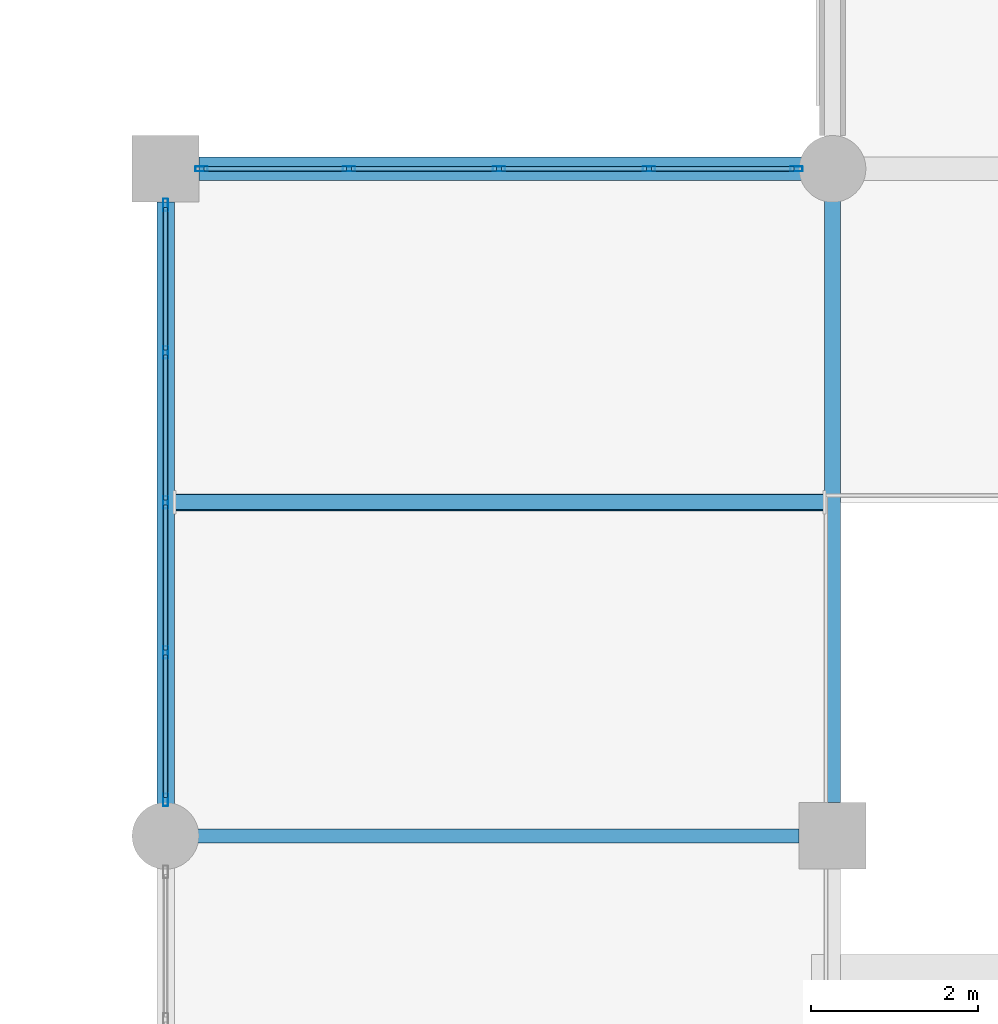
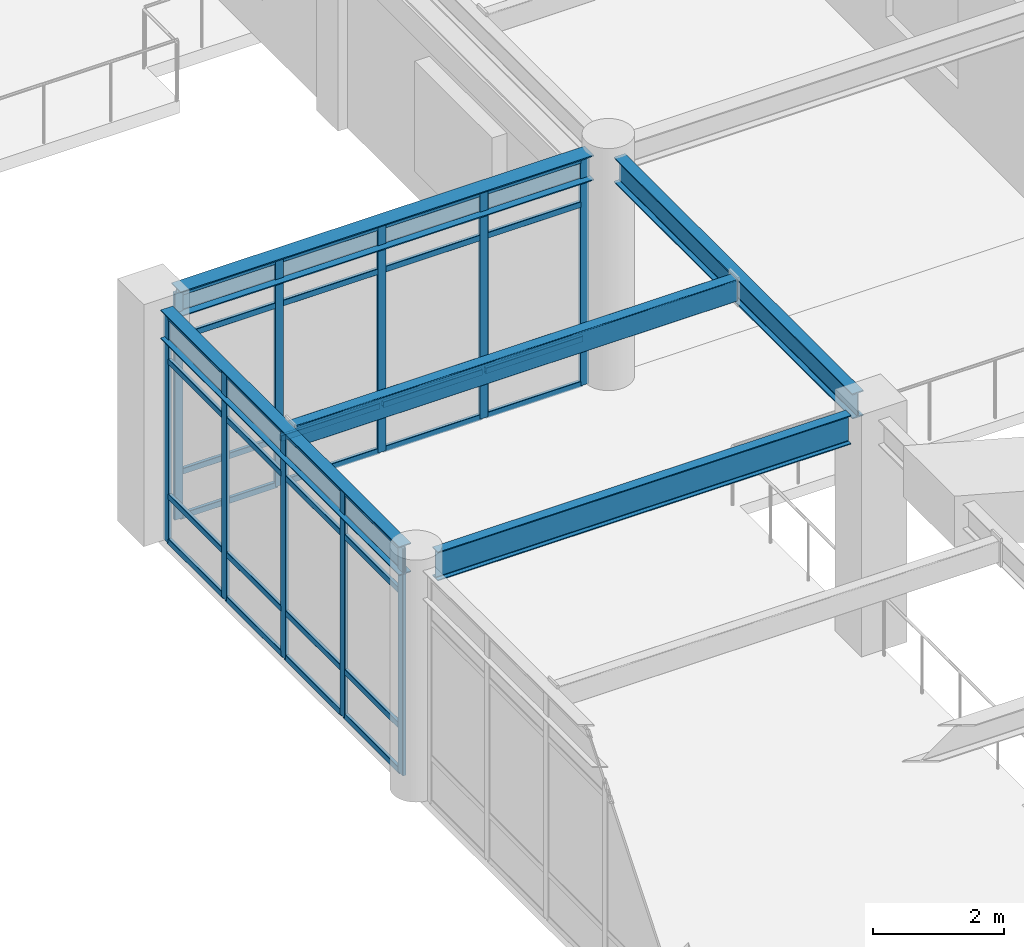
# One storey, part 38 of 93: 42 members, 5 beams, 2 elements without a shape of their own.
"""IFC4 building model written with IfcOpenShell, lengths in metres."""

from ifc_helpers import new_model, si_unit, direction, frame, origin, origin_2d, place, context, subcontext, project, spatial, hollow_rectangle, i_section, extrude, material, material_profile, profile_set, type_object, element, aggregate, save


model = new_model("IFC4")

# Units and contexts
model_context = context("Model", 3, precision=1e-05, world=origin(), true_north=direction((0.0, 1.0)))
body_context = subcontext(model_context, "Body", "Model", "MODEL_VIEW")
ifc_project = project(units=[si_unit("LENGTHUNIT", "METRE"), si_unit("AREAUNIT", "SQUARE_METRE"), si_unit("VOLUMEUNIT", "CUBIC_METRE"), si_unit("PLANEANGLEUNIT", "RADIAN"), si_unit("MASSUNIT", "GRAM", prefix="KILO")], contexts=[model_context])

# Site, building, storey
site_placement = place(None, origin())
site = spatial("IfcSite", under=ifc_project, at=site_placement, CompositionType="ELEMENT")
building_placement = place(site_placement, origin())
building = spatial("IfcBuilding", under=site, at=building_placement, Name="Solmirada Galleria", CompositionType="ELEMENT")
storey_placement = place(building_placement, frame((0.0, 0.0, 14.89990234375)))
storey = spatial("IfcBuildingStorey", under=building, at=storey_placement, Name="L03", CompositionType="ELEMENT", Elevation=14.89990234375)

# Beams
ifc_material_1 = material(Name="Steel S355 / ASTM A992 Grade 50", Category="steel")
ifc_material_profile_1 = material_profile(ifc_material_1, i_section(OverallWidth=0.281982421875, OverallDepth=0.467041015625, WebThickness=0.01220703125, FlangeThickness=0.01953125, FilletRadius=0.013916015625, at=origin_2d()), Name="W18X86")
ifc_profile_set_1 = profile_set([ifc_material_profile_1], Name="Steel S355 / ASTM A992 Grade 50")
beam_type_1 = type_object("IfcBeamType", Name="BM-GIRD-W18A", PredefinedType="BEAM", material=ifc_profile_set_1)
beam_1_placement = place(storey_placement, frame((80.39990234375, 72.0, 4.066650390625), z_axis=(1.0, 0.0, 0.0), x_axis=(0.0, 1.0, 0.0)))
element("IfcBeam", 1, at=beam_1_placement, inside=storey, type_object=beam_type_1, Name="Primary beam L04 X(80..88, 72)", PredefinedType="BEAM", context=body_context, shape_type="SweptSolid", body=[
    extrude(i_section(OverallWidth=0.281982421875, OverallDepth=0.467041015625, WebThickness=0.01220703125, FlangeThickness=0.01953125, FilletRadius=0.013916015625, at=origin_2d()), origin(), (0.0, 0.0, 1.0), 7.26416015625),
])
ifc_material_profile_2 = material_profile(ifc_material_1, i_section(OverallWidth=0.194091796875, OverallDepth=0.468994140625, WebThickness=0.0126953125, FlangeThickness=0.0205078125, FilletRadius=0.013916015625, at=origin_2d()), Name="W18X71")
ifc_profile_set_2 = profile_set([ifc_material_profile_2], Name="Steel S355 / ASTM A992 Grade 50")
beam_type_2 = type_object("IfcBeamType", Name="BM-GIRD-W18B", PredefinedType="BEAM", material=ifc_profile_set_2)
beam_2_placement = place(storey_placement, frame((88.0, 64.39990234375, 4.065673828125), z_axis=(0.0, 1.0, 0.0), x_axis=(-1.0, 0.0, 0.0)))
element("IfcBeam", 2, at=beam_2_placement, inside=storey, type_object=beam_type_2, Name="Primary girder L04 Y(88, 64..72)", PredefinedType="BEAM", context=body_context, shape_type="SweptSolid", body=[
    extrude(i_section(OverallWidth=0.194091796875, OverallDepth=0.468994140625, WebThickness=0.0126953125, FlangeThickness=0.0205078125, FilletRadius=0.013916015625, at=origin_2d()), origin(), (0.0, 0.0, 1.0), 7.26416015625),
])
ifc_material_profile_3 = material_profile(ifc_material_1, i_section(OverallWidth=0.2099609375, OverallDepth=0.537109375, WebThickness=0.010986328125, FlangeThickness=0.017333984375, FilletRadius=0.014892578125, at=origin_2d()), Name="W21X68")
ifc_profile_set_3 = profile_set([ifc_material_profile_3], Name="Steel S355 / ASTM A992 Grade 50")
beam_type_3 = type_object("IfcBeamType", Name="BM-GIRD-W21B", PredefinedType="BEAM", material=ifc_profile_set_3)
beam_3_placement = place(storey_placement, frame((80.0, 64.3359375, 4.031494140625), z_axis=(0.0, 1.0, 0.0), x_axis=(-1.0, 0.0, 0.0)))
element("IfcBeam", 3, at=beam_3_placement, inside=storey, type_object=beam_type_3, Name="Primary girder L04 Y(80, 64..72)", PredefinedType="BEAM", context=body_context, shape_type="SweptSolid", body=[
    extrude(i_section(OverallWidth=0.2099609375, OverallDepth=0.537109375, WebThickness=0.010986328125, FlangeThickness=0.017333984375, FilletRadius=0.014892578125, at=origin_2d()), origin(), (0.0, 0.0, 1.0), 7.26416015625),
])
ifc_material_profile_4 = material_profile(ifc_material_1, i_section(OverallWidth=0.1669921875, OverallDepth=0.534912109375, WebThickness=0.01025390625, FlangeThickness=0.0166015625, FilletRadius=0.013916015625, at=origin_2d()), Name="W21X57")
ifc_profile_set_4 = profile_set([ifc_material_profile_4], Name="Steel S355 / ASTM A992 Grade 50")
beam_type_4 = type_object("IfcBeamType", Name="BM-GIRD-W21C", PredefinedType="BEAM", material=ifc_profile_set_4)
beam_4_placement = place(storey_placement, frame((80.3359375, 64.0, 4.03271484375), z_axis=(1.0, 0.0, 0.0), x_axis=(0.0, 1.0, 0.0)))
element("IfcBeam", 4, at=beam_4_placement, inside=storey, type_object=beam_type_4, Name="Primary beam L04 X(80..88, 64)", PredefinedType="BEAM", context=body_context, shape_type="SweptSolid", body=[
    extrude(i_section(OverallWidth=0.1669921875, OverallDepth=0.534912109375, WebThickness=0.01025390625, FlangeThickness=0.0166015625, FilletRadius=0.013916015625, at=origin_2d()), origin(), (0.0, 0.0, 1.0), 7.26416015625),
])
ifc_material_2 = material(Name="Steel S355 / ASTM A500 Grade C", Category="steel")
ifc_material_profile_5 = material_profile(ifc_material_2, hollow_rectangle(XDim=0.202880859375, YDim=0.406005859375, WallThickness=0.01171875, InnerFilletRadius=0.01171875, OuterFilletRadius=0.023681640625, at=origin_2d()), Name="HSS16X8X1/2")
ifc_profile_set_5 = profile_set([ifc_material_profile_5], Name="Steel S355 / ASTM A500 Grade C")
beam_type_5 = type_object("IfcBeamType", Name="BM-JST-W16B", PredefinedType="JOIST", material=ifc_profile_set_5)
beam_5_placement = place(storey_placement, frame((80.10498046875, 68.0, 4.09716796875), z_axis=(1.0, 0.0, 0.0), x_axis=(0.0, 1.0, 0.0)))
element("IfcBeam", 5, at=beam_5_placement, inside=storey, type_object=beam_type_5, Name="Composite floor joist L04 (80..88, 68.0)", PredefinedType="JOIST", context=body_context, shape_type="SweptSolid", body=[
    extrude(hollow_rectangle(XDim=0.202880859375, YDim=0.406005859375, WallThickness=0.01171875, InnerFilletRadius=0.01171875, OuterFilletRadius=0.023681640625, at=origin_2d()), origin(), (0.0, 0.0, 1.0), 7.798095703125),
])

# Curtain wall, members
ifc_material_3 = material(Name="Impact-resistant low-E double glazing", Category="glass")
curtain_wall_type = type_object("IfcCurtainWallType", Name="CW-FZ3-L03-B4-L072", PredefinedType="NOTDEFINED", material=ifc_material_3)
curtain_wall_1_placement = place(storey_placement, origin())
curtain_wall_1 = element("IfcCurtainWall", 6, at=curtain_wall_1_placement, inside=storey, type_object=curtain_wall_type, Name="Terrace and arcade storefront CW-L03-121", PredefinedType="NOTDEFINED")
ifc_material_4 = material(Name="Anodised aluminium framing", Category="aluminium")
ifc_material_profile_6 = material_profile(ifc_material_4, hollow_rectangle(XDim=0.06005859375, YDim=0.14990234375, WallThickness=0.00341796875, InnerFilletRadius=0.00341796875, OuterFilletRadius=0.007080078125, at=origin_2d()), Name="ALU-MULL-150X60")
ifc_profile_set_6 = profile_set([ifc_material_profile_6], Name="Anodised aluminium framing")
member_type_1 = type_object("IfcMemberType", Name="CW-MULL-150", PredefinedType="MULLION", material=ifc_profile_set_6)
member_1_placement = place(storey_placement, frame((80.0, 64.431884765625, 0.0), z_axis=(0.0, 0.0, 1.0), x_axis=(-1.0, 0.0, 0.0)))
member_1 = element("IfcMember", 7, at=member_1_placement, type_object=member_type_1, Name="CW27 mullion 1", PredefinedType="MULLION", context=body_context, shape_type="SweptSolid", body=[
    extrude(hollow_rectangle(XDim=0.06005859375, YDim=0.14990234375, WallThickness=0.00341796875, InnerFilletRadius=0.00341796875, OuterFilletRadius=0.007080078125, at=origin_2d()), origin(), (0.0, 0.0, 1.0), 4.22021484375),
])
member_2_placement = place(storey_placement, frame((80.0, 66.200927734375, 0.0), z_axis=(0.0, 0.0, 1.0), x_axis=(-1.0, 0.0, 0.0)))
member_2 = element("IfcMember", 8, at=member_2_placement, type_object=member_type_1, Name="CW27 mullion 2", PredefinedType="MULLION", context=body_context, shape_type="SweptSolid", body=[
    extrude(hollow_rectangle(XDim=0.06005859375, YDim=0.14990234375, WallThickness=0.00341796875, InnerFilletRadius=0.00341796875, OuterFilletRadius=0.007080078125, at=origin_2d()), origin(), (0.0, 0.0, 1.0), 4.22021484375),
])
member_3_placement = place(storey_placement, frame((80.0, 68.0, 0.0), z_axis=(0.0, 0.0, 1.0), x_axis=(-1.0, 0.0, 0.0)))
member_3 = element("IfcMember", 9, at=member_3_placement, type_object=member_type_1, Name="CW27 mullion 3", PredefinedType="MULLION", context=body_context, shape_type="SweptSolid", body=[
    extrude(hollow_rectangle(XDim=0.06005859375, YDim=0.14990234375, WallThickness=0.00341796875, InnerFilletRadius=0.00341796875, OuterFilletRadius=0.007080078125, at=origin_2d()), origin(), (0.0, 0.0, 1.0), 4.22021484375),
])
member_4_placement = place(storey_placement, frame((80.0, 69.799072265625, 0.0), z_axis=(0.0, 0.0, 1.0), x_axis=(-1.0, 0.0, 0.0)))
member_4 = element("IfcMember", 10, at=member_4_placement, type_object=member_type_1, Name="CW27 mullion 4", PredefinedType="MULLION", context=body_context, shape_type="SweptSolid", body=[
    extrude(hollow_rectangle(XDim=0.06005859375, YDim=0.14990234375, WallThickness=0.00341796875, InnerFilletRadius=0.00341796875, OuterFilletRadius=0.007080078125, at=origin_2d()), origin(), (0.0, 0.0, 1.0), 4.22021484375),
])
member_5_placement = place(storey_placement, frame((80.0, 71.568115234375, 0.0), z_axis=(0.0, 0.0, 1.0), x_axis=(-1.0, 0.0, 0.0)))
member_5 = element("IfcMember", 11, at=member_5_placement, type_object=member_type_1, Name="CW27 mullion 5", PredefinedType="MULLION", context=body_context, shape_type="SweptSolid", body=[
    extrude(hollow_rectangle(XDim=0.06005859375, YDim=0.14990234375, WallThickness=0.00341796875, InnerFilletRadius=0.00341796875, OuterFilletRadius=0.007080078125, at=origin_2d()), origin(), (0.0, 0.0, 1.0), 4.22021484375),
])

curtain_wall_2_placement = place(storey_placement, origin())
curtain_wall_2 = element("IfcCurtainWall", 12, at=curtain_wall_2_placement, inside=storey, type_object=curtain_wall_type, Name="Terrace and arcade storefront CW-L03-122", PredefinedType="NOTDEFINED")
member_6_placement = place(storey_placement, frame((80.431884765625, 72.0, 0.0), z_axis=(0.0, 0.0, 1.0), x_axis=(0.0, 1.0, 0.0)))
member_6 = element("IfcMember", 13, at=member_6_placement, type_object=member_type_1, Name="CW27 mullion 1", PredefinedType="MULLION", context=body_context, shape_type="SweptSolid", body=[
    extrude(hollow_rectangle(XDim=0.06005859375, YDim=0.14990234375, WallThickness=0.00341796875, InnerFilletRadius=0.00341796875, OuterFilletRadius=0.007080078125, at=origin_2d()), origin(), (0.0, 0.0, 1.0), 4.22021484375),
])
member_7_placement = place(storey_placement, frame((82.200927734375, 72.0, 0.0), z_axis=(0.0, 0.0, 1.0), x_axis=(0.0, 1.0, 0.0)))
member_7 = element("IfcMember", 14, at=member_7_placement, type_object=member_type_1, Name="CW27 mullion 2", PredefinedType="MULLION", context=body_context, shape_type="SweptSolid", body=[
    extrude(hollow_rectangle(XDim=0.06005859375, YDim=0.14990234375, WallThickness=0.00341796875, InnerFilletRadius=0.00341796875, OuterFilletRadius=0.007080078125, at=origin_2d()), origin(), (0.0, 0.0, 1.0), 4.22021484375),
])
member_8_placement = place(storey_placement, frame((84.0, 72.0, 0.0), z_axis=(0.0, 0.0, 1.0), x_axis=(0.0, 1.0, 0.0)))
member_8 = element("IfcMember", 15, at=member_8_placement, type_object=member_type_1, Name="CW27 mullion 3", PredefinedType="MULLION", context=body_context, shape_type="SweptSolid", body=[
    extrude(hollow_rectangle(XDim=0.06005859375, YDim=0.14990234375, WallThickness=0.00341796875, InnerFilletRadius=0.00341796875, OuterFilletRadius=0.007080078125, at=origin_2d()), origin(), (0.0, 0.0, 1.0), 4.22021484375),
])
member_9_placement = place(storey_placement, frame((85.799072265625, 72.0, 0.0), z_axis=(0.0, 0.0, 1.0), x_axis=(0.0, 1.0, 0.0)))
member_9 = element("IfcMember", 16, at=member_9_placement, type_object=member_type_1, Name="CW27 mullion 4", PredefinedType="MULLION", context=body_context, shape_type="SweptSolid", body=[
    extrude(hollow_rectangle(XDim=0.06005859375, YDim=0.14990234375, WallThickness=0.00341796875, InnerFilletRadius=0.00341796875, OuterFilletRadius=0.007080078125, at=origin_2d()), origin(), (0.0, 0.0, 1.0), 4.22021484375),
])
member_10_placement = place(storey_placement, frame((87.568115234375, 72.0, 0.0), z_axis=(0.0, 0.0, 1.0), x_axis=(0.0, 1.0, 0.0)))
member_10 = element("IfcMember", 17, at=member_10_placement, type_object=member_type_1, Name="CW27 mullion 5", PredefinedType="MULLION", context=body_context, shape_type="SweptSolid", body=[
    extrude(hollow_rectangle(XDim=0.06005859375, YDim=0.14990234375, WallThickness=0.00341796875, InnerFilletRadius=0.00341796875, OuterFilletRadius=0.007080078125, at=origin_2d()), origin(), (0.0, 0.0, 1.0), 4.22021484375),
])

# Member
ifc_material_profile_7 = material_profile(ifc_material_4, hollow_rectangle(XDim=0.06005859375, YDim=0.110107421875, WallThickness=0.003173828125, InnerFilletRadius=0.003173828125, OuterFilletRadius=0.00634765625, at=origin_2d()), Name="ALU-TRAN-110X60")
ifc_profile_set_7 = profile_set([ifc_material_profile_7], Name="Anodised aluminium framing")
member_type_2 = type_object("IfcMemberType", Name="CW-TRAN-110", PredefinedType="USERDEFINED", material=ifc_profile_set_7)
member_11_placement = place(storey_placement, frame((80.0, 64.4619140625, 0.030029296875), z_axis=(0.0, 1.0, 0.0), x_axis=(-1.0, 0.0, 0.0)))
member_11 = element("IfcMember", 18, at=member_11_placement, type_object=member_type_2, Name="CW27 transom 1.1", ObjectType="TRANSOM", PredefinedType="USERDEFINED", context=body_context, shape_type="SweptSolid", body=[
    extrude(hollow_rectangle(XDim=0.06005859375, YDim=0.110107421875, WallThickness=0.003173828125, InnerFilletRadius=0.003173828125, OuterFilletRadius=0.00634765625, at=origin_2d()), origin(), (0.0, 0.0, 1.0), 1.708984375),
])

member_12_placement = place(storey_placement, frame((80.0, 64.4619140625, 0.860107421875), z_axis=(0.0, 1.0, 0.0), x_axis=(-1.0, 0.0, 0.0)))
member_12 = element("IfcMember", 19, at=member_12_placement, type_object=member_type_2, Name="CW27 transom 1.2", ObjectType="TRANSOM", PredefinedType="USERDEFINED", context=body_context, shape_type="SweptSolid", body=[
    extrude(hollow_rectangle(XDim=0.06005859375, YDim=0.110107421875, WallThickness=0.003173828125, InnerFilletRadius=0.003173828125, OuterFilletRadius=0.00634765625, at=origin_2d()), origin(), (0.0, 0.0, 1.0), 1.708984375),
])

member_13_placement = place(storey_placement, frame((80.0, 64.4619140625, 3.3701171875), z_axis=(0.0, 1.0, 0.0), x_axis=(-1.0, 0.0, 0.0)))
member_13 = element("IfcMember", 20, at=member_13_placement, type_object=member_type_2, Name="CW27 transom 1.3", ObjectType="TRANSOM", PredefinedType="USERDEFINED", context=body_context, shape_type="SweptSolid", body=[
    extrude(hollow_rectangle(XDim=0.06005859375, YDim=0.110107421875, WallThickness=0.003173828125, InnerFilletRadius=0.003173828125, OuterFilletRadius=0.00634765625, at=origin_2d()), origin(), (0.0, 0.0, 1.0), 1.708984375),
])

member_14_placement = place(storey_placement, frame((80.0, 64.4619140625, 4.190185546875), z_axis=(0.0, 1.0, 0.0), x_axis=(-1.0, 0.0, 0.0)))
member_14 = element("IfcMember", 21, at=member_14_placement, type_object=member_type_2, Name="CW27 transom 1.4", ObjectType="TRANSOM", PredefinedType="USERDEFINED", context=body_context, shape_type="SweptSolid", body=[
    extrude(hollow_rectangle(XDim=0.06005859375, YDim=0.110107421875, WallThickness=0.003173828125, InnerFilletRadius=0.003173828125, OuterFilletRadius=0.00634765625, at=origin_2d()), origin(), (0.0, 0.0, 1.0), 1.708984375),
])

member_15_placement = place(storey_placement, frame((80.0, 66.23095703125, 0.030029296875), z_axis=(0.0, 1.0, 0.0), x_axis=(-1.0, 0.0, 0.0)))
member_15 = element("IfcMember", 22, at=member_15_placement, type_object=member_type_2, Name="CW27 transom 2.1", ObjectType="TRANSOM", PredefinedType="USERDEFINED", context=body_context, shape_type="SweptSolid", body=[
    extrude(hollow_rectangle(XDim=0.06005859375, YDim=0.110107421875, WallThickness=0.003173828125, InnerFilletRadius=0.003173828125, OuterFilletRadius=0.00634765625, at=origin_2d()), origin(), (0.0, 0.0, 1.0), 1.739013671875),
])

member_16_placement = place(storey_placement, frame((80.0, 66.23095703125, 0.860107421875), z_axis=(0.0, 1.0, 0.0), x_axis=(-1.0, 0.0, 0.0)))
member_16 = element("IfcMember", 23, at=member_16_placement, type_object=member_type_2, Name="CW27 transom 2.2", ObjectType="TRANSOM", PredefinedType="USERDEFINED", context=body_context, shape_type="SweptSolid", body=[
    extrude(hollow_rectangle(XDim=0.06005859375, YDim=0.110107421875, WallThickness=0.003173828125, InnerFilletRadius=0.003173828125, OuterFilletRadius=0.00634765625, at=origin_2d()), origin(), (0.0, 0.0, 1.0), 1.739013671875),
])

member_17_placement = place(storey_placement, frame((80.0, 66.23095703125, 3.3701171875), z_axis=(0.0, 1.0, 0.0), x_axis=(-1.0, 0.0, 0.0)))
member_17 = element("IfcMember", 24, at=member_17_placement, type_object=member_type_2, Name="CW27 transom 2.3", ObjectType="TRANSOM", PredefinedType="USERDEFINED", context=body_context, shape_type="SweptSolid", body=[
    extrude(hollow_rectangle(XDim=0.06005859375, YDim=0.110107421875, WallThickness=0.003173828125, InnerFilletRadius=0.003173828125, OuterFilletRadius=0.00634765625, at=origin_2d()), origin(), (0.0, 0.0, 1.0), 1.739013671875),
])

member_18_placement = place(storey_placement, frame((80.0, 66.23095703125, 4.190185546875), z_axis=(0.0, 1.0, 0.0), x_axis=(-1.0, 0.0, 0.0)))
member_18 = element("IfcMember", 25, at=member_18_placement, type_object=member_type_2, Name="CW27 transom 2.4", ObjectType="TRANSOM", PredefinedType="USERDEFINED", context=body_context, shape_type="SweptSolid", body=[
    extrude(hollow_rectangle(XDim=0.06005859375, YDim=0.110107421875, WallThickness=0.003173828125, InnerFilletRadius=0.003173828125, OuterFilletRadius=0.00634765625, at=origin_2d()), origin(), (0.0, 0.0, 1.0), 1.739013671875),
])

member_19_placement = place(storey_placement, frame((80.0, 68.030029296875, 0.030029296875), z_axis=(0.0, 1.0, 0.0), x_axis=(-1.0, 0.0, 0.0)))
member_19 = element("IfcMember", 26, at=member_19_placement, type_object=member_type_2, Name="CW27 transom 3.1", ObjectType="TRANSOM", PredefinedType="USERDEFINED", context=body_context, shape_type="SweptSolid", body=[
    extrude(hollow_rectangle(XDim=0.06005859375, YDim=0.110107421875, WallThickness=0.003173828125, InnerFilletRadius=0.003173828125, OuterFilletRadius=0.00634765625, at=origin_2d()), origin(), (0.0, 0.0, 1.0), 1.739013671875),
])

member_20_placement = place(storey_placement, frame((80.0, 68.030029296875, 0.860107421875), z_axis=(0.0, 1.0, 0.0), x_axis=(-1.0, 0.0, 0.0)))
member_20 = element("IfcMember", 27, at=member_20_placement, type_object=member_type_2, Name="CW27 transom 3.2", ObjectType="TRANSOM", PredefinedType="USERDEFINED", context=body_context, shape_type="SweptSolid", body=[
    extrude(hollow_rectangle(XDim=0.06005859375, YDim=0.110107421875, WallThickness=0.003173828125, InnerFilletRadius=0.003173828125, OuterFilletRadius=0.00634765625, at=origin_2d()), origin(), (0.0, 0.0, 1.0), 1.739013671875),
])

member_21_placement = place(storey_placement, frame((80.0, 68.030029296875, 3.3701171875), z_axis=(0.0, 1.0, 0.0), x_axis=(-1.0, 0.0, 0.0)))
member_21 = element("IfcMember", 28, at=member_21_placement, type_object=member_type_2, Name="CW27 transom 3.3", ObjectType="TRANSOM", PredefinedType="USERDEFINED", context=body_context, shape_type="SweptSolid", body=[
    extrude(hollow_rectangle(XDim=0.06005859375, YDim=0.110107421875, WallThickness=0.003173828125, InnerFilletRadius=0.003173828125, OuterFilletRadius=0.00634765625, at=origin_2d()), origin(), (0.0, 0.0, 1.0), 1.739013671875),
])

member_22_placement = place(storey_placement, frame((80.0, 68.030029296875, 4.190185546875), z_axis=(0.0, 1.0, 0.0), x_axis=(-1.0, 0.0, 0.0)))
member_22 = element("IfcMember", 29, at=member_22_placement, type_object=member_type_2, Name="CW27 transom 3.4", ObjectType="TRANSOM", PredefinedType="USERDEFINED", context=body_context, shape_type="SweptSolid", body=[
    extrude(hollow_rectangle(XDim=0.06005859375, YDim=0.110107421875, WallThickness=0.003173828125, InnerFilletRadius=0.003173828125, OuterFilletRadius=0.00634765625, at=origin_2d()), origin(), (0.0, 0.0, 1.0), 1.739013671875),
])

member_23_placement = place(storey_placement, frame((80.0, 69.8291015625, 0.030029296875), z_axis=(0.0, 1.0, 0.0), x_axis=(-1.0, 0.0, 0.0)))
member_23 = element("IfcMember", 30, at=member_23_placement, type_object=member_type_2, Name="CW27 transom 4.1", ObjectType="TRANSOM", PredefinedType="USERDEFINED", context=body_context, shape_type="SweptSolid", body=[
    extrude(hollow_rectangle(XDim=0.06005859375, YDim=0.110107421875, WallThickness=0.003173828125, InnerFilletRadius=0.003173828125, OuterFilletRadius=0.00634765625, at=origin_2d()), origin(), (0.0, 0.0, 1.0), 1.708984375),
])

member_24_placement = place(storey_placement, frame((80.0, 69.8291015625, 0.860107421875), z_axis=(0.0, 1.0, 0.0), x_axis=(-1.0, 0.0, 0.0)))
member_24 = element("IfcMember", 31, at=member_24_placement, type_object=member_type_2, Name="CW27 transom 4.2", ObjectType="TRANSOM", PredefinedType="USERDEFINED", context=body_context, shape_type="SweptSolid", body=[
    extrude(hollow_rectangle(XDim=0.06005859375, YDim=0.110107421875, WallThickness=0.003173828125, InnerFilletRadius=0.003173828125, OuterFilletRadius=0.00634765625, at=origin_2d()), origin(), (0.0, 0.0, 1.0), 1.708984375),
])

member_25_placement = place(storey_placement, frame((80.0, 69.8291015625, 3.3701171875), z_axis=(0.0, 1.0, 0.0), x_axis=(-1.0, 0.0, 0.0)))
member_25 = element("IfcMember", 32, at=member_25_placement, type_object=member_type_2, Name="CW27 transom 4.3", ObjectType="TRANSOM", PredefinedType="USERDEFINED", context=body_context, shape_type="SweptSolid", body=[
    extrude(hollow_rectangle(XDim=0.06005859375, YDim=0.110107421875, WallThickness=0.003173828125, InnerFilletRadius=0.003173828125, OuterFilletRadius=0.00634765625, at=origin_2d()), origin(), (0.0, 0.0, 1.0), 1.708984375),
])

member_26_placement = place(storey_placement, frame((80.0, 69.8291015625, 4.190185546875), z_axis=(0.0, 1.0, 0.0), x_axis=(-1.0, 0.0, 0.0)))
member_26 = element("IfcMember", 33, at=member_26_placement, type_object=member_type_2, Name="CW27 transom 4.4", ObjectType="TRANSOM", PredefinedType="USERDEFINED", context=body_context, shape_type="SweptSolid", body=[
    extrude(hollow_rectangle(XDim=0.06005859375, YDim=0.110107421875, WallThickness=0.003173828125, InnerFilletRadius=0.003173828125, OuterFilletRadius=0.00634765625, at=origin_2d()), origin(), (0.0, 0.0, 1.0), 1.708984375),
])

aggregate(curtain_wall_1, [member_1, member_2, member_3, member_4, member_5, member_11, member_12, member_13, member_14, member_15, member_16, member_17, member_18, member_19, member_20, member_21, member_22, member_23, member_24, member_25, member_26])

member_27_placement = place(storey_placement, frame((80.4619140625, 72.0, 0.030029296875), z_axis=(1.0, 0.0, 0.0), x_axis=(0.0, 1.0, 0.0)))
member_27 = element("IfcMember", 34, at=member_27_placement, type_object=member_type_2, Name="CW27 transom 1.1", ObjectType="TRANSOM", PredefinedType="USERDEFINED", context=body_context, shape_type="SweptSolid", body=[
    extrude(hollow_rectangle(XDim=0.06005859375, YDim=0.110107421875, WallThickness=0.003173828125, InnerFilletRadius=0.003173828125, OuterFilletRadius=0.00634765625, at=origin_2d()), origin(), (0.0, 0.0, 1.0), 1.708984375),
])

member_28_placement = place(storey_placement, frame((80.4619140625, 72.0, 0.860107421875), z_axis=(1.0, 0.0, 0.0), x_axis=(0.0, 1.0, 0.0)))
member_28 = element("IfcMember", 35, at=member_28_placement, type_object=member_type_2, Name="CW27 transom 1.2", ObjectType="TRANSOM", PredefinedType="USERDEFINED", context=body_context, shape_type="SweptSolid", body=[
    extrude(hollow_rectangle(XDim=0.06005859375, YDim=0.110107421875, WallThickness=0.003173828125, InnerFilletRadius=0.003173828125, OuterFilletRadius=0.00634765625, at=origin_2d()), origin(), (0.0, 0.0, 1.0), 1.708984375),
])

member_29_placement = place(storey_placement, frame((80.4619140625, 72.0, 3.3701171875), z_axis=(1.0, 0.0, 0.0), x_axis=(0.0, 1.0, 0.0)))
member_29 = element("IfcMember", 36, at=member_29_placement, type_object=member_type_2, Name="CW27 transom 1.3", ObjectType="TRANSOM", PredefinedType="USERDEFINED", context=body_context, shape_type="SweptSolid", body=[
    extrude(hollow_rectangle(XDim=0.06005859375, YDim=0.110107421875, WallThickness=0.003173828125, InnerFilletRadius=0.003173828125, OuterFilletRadius=0.00634765625, at=origin_2d()), origin(), (0.0, 0.0, 1.0), 1.708984375),
])

member_30_placement = place(storey_placement, frame((80.4619140625, 72.0, 4.190185546875), z_axis=(1.0, 0.0, 0.0), x_axis=(0.0, 1.0, 0.0)))
member_30 = element("IfcMember", 37, at=member_30_placement, type_object=member_type_2, Name="CW27 transom 1.4", ObjectType="TRANSOM", PredefinedType="USERDEFINED", context=body_context, shape_type="SweptSolid", body=[
    extrude(hollow_rectangle(XDim=0.06005859375, YDim=0.110107421875, WallThickness=0.003173828125, InnerFilletRadius=0.003173828125, OuterFilletRadius=0.00634765625, at=origin_2d()), origin(), (0.0, 0.0, 1.0), 1.708984375),
])

member_31_placement = place(storey_placement, frame((82.23095703125, 72.0, 0.030029296875), z_axis=(1.0, 0.0, 0.0), x_axis=(0.0, 1.0, 0.0)))
member_31 = element("IfcMember", 38, at=member_31_placement, type_object=member_type_2, Name="CW27 transom 2.1", ObjectType="TRANSOM", PredefinedType="USERDEFINED", context=body_context, shape_type="SweptSolid", body=[
    extrude(hollow_rectangle(XDim=0.06005859375, YDim=0.110107421875, WallThickness=0.003173828125, InnerFilletRadius=0.003173828125, OuterFilletRadius=0.00634765625, at=origin_2d()), origin(), (0.0, 0.0, 1.0), 1.739013671875),
])

member_32_placement = place(storey_placement, frame((82.23095703125, 72.0, 0.860107421875), z_axis=(1.0, 0.0, 0.0), x_axis=(0.0, 1.0, 0.0)))
member_32 = element("IfcMember", 39, at=member_32_placement, type_object=member_type_2, Name="CW27 transom 2.2", ObjectType="TRANSOM", PredefinedType="USERDEFINED", context=body_context, shape_type="SweptSolid", body=[
    extrude(hollow_rectangle(XDim=0.06005859375, YDim=0.110107421875, WallThickness=0.003173828125, InnerFilletRadius=0.003173828125, OuterFilletRadius=0.00634765625, at=origin_2d()), origin(), (0.0, 0.0, 1.0), 1.739013671875),
])

member_33_placement = place(storey_placement, frame((82.23095703125, 72.0, 3.3701171875), z_axis=(1.0, 0.0, 0.0), x_axis=(0.0, 1.0, 0.0)))
member_33 = element("IfcMember", 40, at=member_33_placement, type_object=member_type_2, Name="CW27 transom 2.3", ObjectType="TRANSOM", PredefinedType="USERDEFINED", context=body_context, shape_type="SweptSolid", body=[
    extrude(hollow_rectangle(XDim=0.06005859375, YDim=0.110107421875, WallThickness=0.003173828125, InnerFilletRadius=0.003173828125, OuterFilletRadius=0.00634765625, at=origin_2d()), origin(), (0.0, 0.0, 1.0), 1.739013671875),
])

member_34_placement = place(storey_placement, frame((82.23095703125, 72.0, 4.190185546875), z_axis=(1.0, 0.0, 0.0), x_axis=(0.0, 1.0, 0.0)))
member_34 = element("IfcMember", 41, at=member_34_placement, type_object=member_type_2, Name="CW27 transom 2.4", ObjectType="TRANSOM", PredefinedType="USERDEFINED", context=body_context, shape_type="SweptSolid", body=[
    extrude(hollow_rectangle(XDim=0.06005859375, YDim=0.110107421875, WallThickness=0.003173828125, InnerFilletRadius=0.003173828125, OuterFilletRadius=0.00634765625, at=origin_2d()), origin(), (0.0, 0.0, 1.0), 1.739013671875),
])

member_35_placement = place(storey_placement, frame((84.030029296875, 72.0, 0.030029296875), z_axis=(1.0, 0.0, 0.0), x_axis=(0.0, 1.0, 0.0)))
member_35 = element("IfcMember", 42, at=member_35_placement, type_object=member_type_2, Name="CW27 transom 3.1", ObjectType="TRANSOM", PredefinedType="USERDEFINED", context=body_context, shape_type="SweptSolid", body=[
    extrude(hollow_rectangle(XDim=0.06005859375, YDim=0.110107421875, WallThickness=0.003173828125, InnerFilletRadius=0.003173828125, OuterFilletRadius=0.00634765625, at=origin_2d()), origin(), (0.0, 0.0, 1.0), 1.739013671875),
])

member_36_placement = place(storey_placement, frame((84.030029296875, 72.0, 0.860107421875), z_axis=(1.0, 0.0, 0.0), x_axis=(0.0, 1.0, 0.0)))
member_36 = element("IfcMember", 43, at=member_36_placement, type_object=member_type_2, Name="CW27 transom 3.2", ObjectType="TRANSOM", PredefinedType="USERDEFINED", context=body_context, shape_type="SweptSolid", body=[
    extrude(hollow_rectangle(XDim=0.06005859375, YDim=0.110107421875, WallThickness=0.003173828125, InnerFilletRadius=0.003173828125, OuterFilletRadius=0.00634765625, at=origin_2d()), origin(), (0.0, 0.0, 1.0), 1.739013671875),
])

member_37_placement = place(storey_placement, frame((84.030029296875, 72.0, 3.3701171875), z_axis=(1.0, 0.0, 0.0), x_axis=(0.0, 1.0, 0.0)))
member_37 = element("IfcMember", 44, at=member_37_placement, type_object=member_type_2, Name="CW27 transom 3.3", ObjectType="TRANSOM", PredefinedType="USERDEFINED", context=body_context, shape_type="SweptSolid", body=[
    extrude(hollow_rectangle(XDim=0.06005859375, YDim=0.110107421875, WallThickness=0.003173828125, InnerFilletRadius=0.003173828125, OuterFilletRadius=0.00634765625, at=origin_2d()), origin(), (0.0, 0.0, 1.0), 1.739013671875),
])

member_38_placement = place(storey_placement, frame((84.030029296875, 72.0, 4.190185546875), z_axis=(1.0, 0.0, 0.0), x_axis=(0.0, 1.0, 0.0)))
member_38 = element("IfcMember", 45, at=member_38_placement, type_object=member_type_2, Name="CW27 transom 3.4", ObjectType="TRANSOM", PredefinedType="USERDEFINED", context=body_context, shape_type="SweptSolid", body=[
    extrude(hollow_rectangle(XDim=0.06005859375, YDim=0.110107421875, WallThickness=0.003173828125, InnerFilletRadius=0.003173828125, OuterFilletRadius=0.00634765625, at=origin_2d()), origin(), (0.0, 0.0, 1.0), 1.739013671875),
])

member_39_placement = place(storey_placement, frame((85.8291015625, 72.0, 0.030029296875), z_axis=(1.0, 0.0, 0.0), x_axis=(0.0, 1.0, 0.0)))
member_39 = element("IfcMember", 46, at=member_39_placement, type_object=member_type_2, Name="CW27 transom 4.1", ObjectType="TRANSOM", PredefinedType="USERDEFINED", context=body_context, shape_type="SweptSolid", body=[
    extrude(hollow_rectangle(XDim=0.06005859375, YDim=0.110107421875, WallThickness=0.003173828125, InnerFilletRadius=0.003173828125, OuterFilletRadius=0.00634765625, at=origin_2d()), origin(), (0.0, 0.0, 1.0), 1.708984375),
])

member_40_placement = place(storey_placement, frame((85.8291015625, 72.0, 0.860107421875), z_axis=(1.0, 0.0, 0.0), x_axis=(0.0, 1.0, 0.0)))
member_40 = element("IfcMember", 47, at=member_40_placement, type_object=member_type_2, Name="CW27 transom 4.2", ObjectType="TRANSOM", PredefinedType="USERDEFINED", context=body_context, shape_type="SweptSolid", body=[
    extrude(hollow_rectangle(XDim=0.06005859375, YDim=0.110107421875, WallThickness=0.003173828125, InnerFilletRadius=0.003173828125, OuterFilletRadius=0.00634765625, at=origin_2d()), origin(), (0.0, 0.0, 1.0), 1.708984375),
])

member_41_placement = place(storey_placement, frame((85.8291015625, 72.0, 3.3701171875), z_axis=(1.0, 0.0, 0.0), x_axis=(0.0, 1.0, 0.0)))
member_41 = element("IfcMember", 48, at=member_41_placement, type_object=member_type_2, Name="CW27 transom 4.3", ObjectType="TRANSOM", PredefinedType="USERDEFINED", context=body_context, shape_type="SweptSolid", body=[
    extrude(hollow_rectangle(XDim=0.06005859375, YDim=0.110107421875, WallThickness=0.003173828125, InnerFilletRadius=0.003173828125, OuterFilletRadius=0.00634765625, at=origin_2d()), origin(), (0.0, 0.0, 1.0), 1.708984375),
])

member_42_placement = place(storey_placement, frame((85.8291015625, 72.0, 4.190185546875), z_axis=(1.0, 0.0, 0.0), x_axis=(0.0, 1.0, 0.0)))
member_42 = element("IfcMember", 49, at=member_42_placement, type_object=member_type_2, Name="CW27 transom 4.4", ObjectType="TRANSOM", PredefinedType="USERDEFINED", context=body_context, shape_type="SweptSolid", body=[
    extrude(hollow_rectangle(XDim=0.06005859375, YDim=0.110107421875, WallThickness=0.003173828125, InnerFilletRadius=0.003173828125, OuterFilletRadius=0.00634765625, at=origin_2d()), origin(), (0.0, 0.0, 1.0), 1.708984375),
])

aggregate(curtain_wall_2, [member_6, member_7, member_8, member_9, member_10, member_27, member_28, member_29, member_30, member_31, member_32, member_33, member_34, member_35, member_36, member_37, member_38, member_39, member_40, member_41, member_42])

save(model, "model.ifc")
